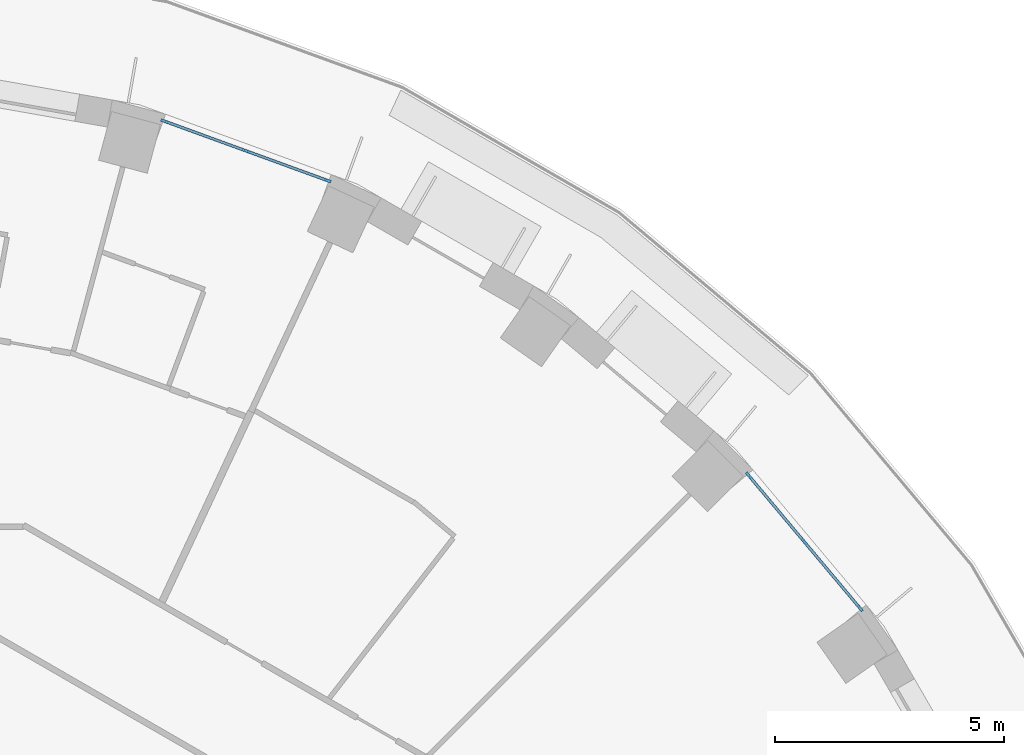
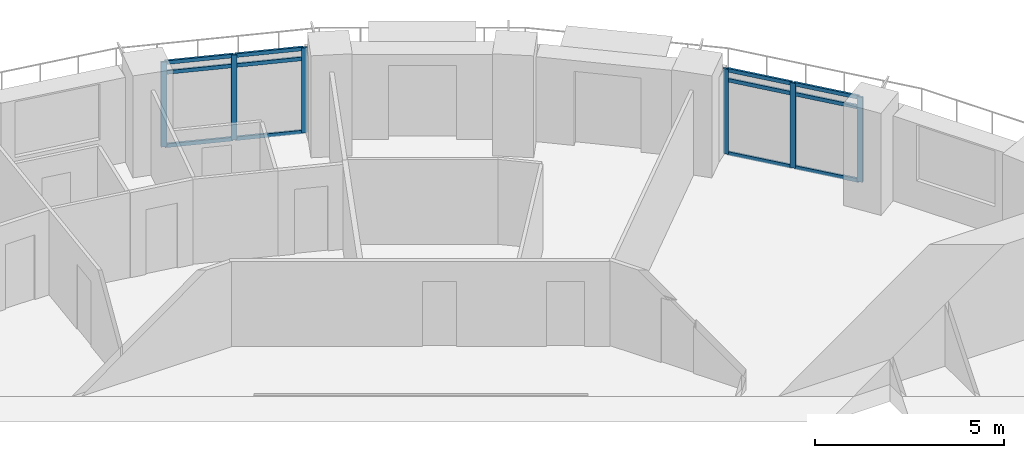
# One storey, part 2 of 15: 18 members, 2 elements without a shape of their own.
"""IFC4 building model written with IfcOpenShell, lengths in metres."""

from ifc_helpers import new_model, si_unit, direction, frame, origin, origin_2d, place, context, subcontext, project, spatial, rectangle, extrude, material, layer, layer_set, material_profile, profile_set, type_object, element, aggregate, save


model = new_model("IFC4")

# Units and contexts
model_context = context("Model", 3, precision=1e-05, world=origin(), true_north=direction((0.0, 1.0)))
body_context = subcontext(model_context, "Body", "Model", "MODEL_VIEW")
ifc_project = project(units=[si_unit("LENGTHUNIT", "METRE"), si_unit("AREAUNIT", "SQUARE_METRE"), si_unit("VOLUMEUNIT", "CUBIC_METRE"), si_unit("PLANEANGLEUNIT", "RADIAN"), si_unit("MASSUNIT", "GRAM", prefix="KILO")], contexts=[model_context])

# Site, building, storey
site_placement = place(None, origin())
site = spatial("IfcSite", under=ifc_project, at=site_placement, CompositionType="ELEMENT")
building_placement = place(site_placement, origin())
building = spatial("IfcBuilding", under=site, at=building_placement, Name="Saqina Gate Tower", CompositionType="ELEMENT")
storey_placement = place(building_placement, frame((0.0, 0.0, 65.89990234375)))
storey = spatial("IfcBuildingStorey", under=building, at=storey_placement, Name="L18", CompositionType="ELEMENT", Elevation=65.89990234375)

# Curtain wall, members
ifc_material_1 = material(Name="Aluminium glazing", Category="aluminium")
ifc_layer = layer(ifc_material_1, 0.159912109375)
ifc_layer_set = layer_set([ifc_layer], Name="CWT-4")
curtain_wall_type = type_object("IfcCurtainWallType", Name="CWT-4", PredefinedType="NOTDEFINED", material=ifc_layer_set)
curtain_wall_1_placement = place(storey_placement, origin())
curtain_wall_1 = element("IfcCurtainWall", 1, at=curtain_wall_1_placement, inside=storey, type_object=curtain_wall_type, Name="Terrace lounge glazing facet 4", PredefinedType="NOTDEFINED")
ifc_material_2 = material(Name="Aluminium", Category="aluminium")
ifc_material_profile_1 = material_profile(ifc_material_2, rectangle(XDim=0.06005859375, YDim=0.159912109375, at=origin_2d()), Name="Aluminium 60x160")
ifc_profile_set_1 = profile_set([ifc_material_profile_1], Name="Aluminium")
member_type_1 = type_object("IfcMemberType", Name="CWT-4M", PredefinedType="MULLION", material=ifc_profile_set_1)
member_1_placement = place(storey_placement, frame((23.232666015625, 17.0234375, 0.0), z_axis=(0.0, 0.0, 1.0), x_axis=(-0.766040784332, -0.642791970033, 0.0)))
member_1 = element("IfcMember", 2, at=member_1_placement, type_object=member_type_1, Name="CW4-04 mullion 1", PredefinedType="MULLION", context=body_context, shape_type="SweptSolid", body=[
    extrude(rectangle(XDim=0.06005859375, YDim=0.159912109375, at=origin_2d()), origin(), (0.0, 0.0, 1.0), 2.75),
])
member_2_placement = place(storey_placement, frame((22.015869140625, 18.473388671875, 0.0), z_axis=(0.0, 0.0, 1.0), x_axis=(-0.766040784332, -0.642791970033, 0.0)))
member_2 = element("IfcMember", 3, at=member_2_placement, type_object=member_type_1, Name="CW4-04 mullion 2", PredefinedType="MULLION", context=body_context, shape_type="SweptSolid", body=[
    extrude(rectangle(XDim=0.06005859375, YDim=0.159912109375, at=origin_2d()), origin(), (0.0, 0.0, 1.0), 2.75),
])
member_3_placement = place(storey_placement, frame((20.799072265625, 19.923583984375, 0.0), z_axis=(0.0, 0.0, 1.0), x_axis=(-0.766040784332, -0.642791970033, 0.0)))
member_3 = element("IfcMember", 4, at=member_3_placement, type_object=member_type_1, Name="CW4-04 mullion 3", PredefinedType="MULLION", context=body_context, shape_type="SweptSolid", body=[
    extrude(rectangle(XDim=0.06005859375, YDim=0.159912109375, at=origin_2d()), origin(), (0.0, 0.0, 1.0), 2.75),
])

curtain_wall_2_placement = place(storey_placement, origin())
curtain_wall_2 = element("IfcCurtainWall", 5, at=curtain_wall_2_placement, inside=storey, type_object=curtain_wall_type, Name="Terrace lounge glazing facet 7", PredefinedType="NOTDEFINED")
member_4_placement = place(storey_placement, frame((11.6083984375, 26.359130859375, 0.0), z_axis=(0.0, 0.0, 1.0), x_axis=(-0.34200819699, -0.939696968811, 0.0)))
member_4 = element("IfcMember", 6, at=member_4_placement, type_object=member_type_1, Name="CW4-07 mullion 1", PredefinedType="MULLION", context=body_context, shape_type="SweptSolid", body=[
    extrude(rectangle(XDim=0.06005859375, YDim=0.159912109375, at=origin_2d()), origin(), (0.0, 0.0, 1.0), 2.75),
])
member_5_placement = place(storey_placement, frame((9.82958984375, 27.00634765625, 0.0), z_axis=(0.0, 0.0, 1.0), x_axis=(-0.34200819699, -0.939696968811, 0.0)))
member_5 = element("IfcMember", 7, at=member_5_placement, type_object=member_type_1, Name="CW4-07 mullion 2", PredefinedType="MULLION", context=body_context, shape_type="SweptSolid", body=[
    extrude(rectangle(XDim=0.06005859375, YDim=0.159912109375, at=origin_2d()), origin(), (0.0, 0.0, 1.0), 2.75),
])
member_6_placement = place(storey_placement, frame((8.05078125, 27.65380859375, 0.0), z_axis=(0.0, 0.0, 1.0), x_axis=(-0.34200819699, -0.939696968811, 0.0)))
member_6 = element("IfcMember", 8, at=member_6_placement, type_object=member_type_1, Name="CW4-07 mullion 3", PredefinedType="MULLION", context=body_context, shape_type="SweptSolid", body=[
    extrude(rectangle(XDim=0.06005859375, YDim=0.159912109375, at=origin_2d()), origin(), (0.0, 0.0, 1.0), 2.75),
])

# Member
ifc_material_3 = material(Name="Aluminium", Category="aluminium")
ifc_material_profile_2 = material_profile(ifc_material_3, rectangle(XDim=0.06005859375, YDim=0.1201171875, at=origin_2d()), Name="Aluminium 60x120")
ifc_profile_set_2 = profile_set([ifc_material_profile_2], Name="Aluminium")
member_type_2 = type_object("IfcMemberType", Name="CWT-4T", PredefinedType="USERDEFINED", material=ifc_profile_set_2)
member_7_placement = place(storey_placement, frame((23.21337890625, 17.04638671875, 0.030029296875), z_axis=(-0.642814030336, 0.766022272785, 0.0), x_axis=(-0.766022272785, -0.642814030336, 0.0)))
member_7 = element("IfcMember", 9, at=member_7_placement, type_object=member_type_2, Name="CW4-04 transom 1.1", ObjectType="TRANSOM", PredefinedType="USERDEFINED", context=body_context, shape_type="SweptSolid", body=[
    extrude(rectangle(XDim=0.06005859375, YDim=0.1201171875, at=origin_2d()), origin(), (0.0, 0.0, 1.0), 1.8330078125),
])

member_8_placement = place(storey_placement, frame((23.21337890625, 17.04638671875, 2.400146484375), z_axis=(-0.642814030336, 0.766022272785, 0.0), x_axis=(-0.766022272785, -0.642814030336, 0.0)))
member_8 = element("IfcMember", 10, at=member_8_placement, type_object=member_type_2, Name="CW4-04 transom 1.2", ObjectType="TRANSOM", PredefinedType="USERDEFINED", context=body_context, shape_type="SweptSolid", body=[
    extrude(rectangle(XDim=0.06005859375, YDim=0.1201171875, at=origin_2d()), origin(), (0.0, 0.0, 1.0), 1.8330078125),
])

member_9_placement = place(storey_placement, frame((23.21337890625, 17.04638671875, 2.72021484375), z_axis=(-0.642814030336, 0.766022272785, 0.0), x_axis=(-0.766022272785, -0.642814030336, 0.0)))
member_9 = element("IfcMember", 11, at=member_9_placement, type_object=member_type_2, Name="CW4-04 transom 1.3", ObjectType="TRANSOM", PredefinedType="USERDEFINED", context=body_context, shape_type="SweptSolid", body=[
    extrude(rectangle(XDim=0.06005859375, YDim=0.1201171875, at=origin_2d()), origin(), (0.0, 0.0, 1.0), 1.8330078125),
])

member_10_placement = place(storey_placement, frame((21.99658203125, 18.496337890625, 0.030029296875), z_axis=(-0.642748446614, 0.766077303133, 0.0), x_axis=(-0.766077303133, -0.642748446614, 0.0)))
member_10 = element("IfcMember", 12, at=member_10_placement, type_object=member_type_2, Name="CW4-04 transom 2.1", ObjectType="TRANSOM", PredefinedType="USERDEFINED", context=body_context, shape_type="SweptSolid", body=[
    extrude(rectangle(XDim=0.06005859375, YDim=0.1201171875, at=origin_2d()), origin(), (0.0, 0.0, 1.0), 1.8330078125),
])

member_11_placement = place(storey_placement, frame((21.99658203125, 18.496337890625, 2.400146484375), z_axis=(-0.642748446614, 0.766077303133, 0.0), x_axis=(-0.766077303133, -0.642748446614, 0.0)))
member_11 = element("IfcMember", 13, at=member_11_placement, type_object=member_type_2, Name="CW4-04 transom 2.2", ObjectType="TRANSOM", PredefinedType="USERDEFINED", context=body_context, shape_type="SweptSolid", body=[
    extrude(rectangle(XDim=0.06005859375, YDim=0.1201171875, at=origin_2d()), origin(), (0.0, 0.0, 1.0), 1.8330078125),
])

member_12_placement = place(storey_placement, frame((21.99658203125, 18.496337890625, 2.72021484375), z_axis=(-0.642748446614, 0.766077303133, 0.0), x_axis=(-0.766077303133, -0.642748446614, 0.0)))
member_12 = element("IfcMember", 14, at=member_12_placement, type_object=member_type_2, Name="CW4-04 transom 2.3", ObjectType="TRANSOM", PredefinedType="USERDEFINED", context=body_context, shape_type="SweptSolid", body=[
    extrude(rectangle(XDim=0.06005859375, YDim=0.1201171875, at=origin_2d()), origin(), (0.0, 0.0, 1.0), 1.8330078125),
])

aggregate(curtain_wall_1, [member_1, member_2, member_3, member_7, member_8, member_9, member_10, member_11, member_12])

member_13_placement = place(storey_placement, frame((11.580078125, 26.369384765625, 0.030029296875), z_axis=(-0.939727291942, 0.34192487008, 0.0), x_axis=(-0.34192487008, -0.939727291942, 0.0)))
member_13 = element("IfcMember", 15, at=member_13_placement, type_object=member_type_2, Name="CW4-07 transom 1.1", ObjectType="TRANSOM", PredefinedType="USERDEFINED", context=body_context, shape_type="SweptSolid", body=[
    extrude(rectangle(XDim=0.06005859375, YDim=0.1201171875, at=origin_2d()), origin(), (0.0, 0.0, 1.0), 1.832763671875),
])

member_14_placement = place(storey_placement, frame((11.580078125, 26.369384765625, 2.400146484375), z_axis=(-0.939727291942, 0.34192487008, 0.0), x_axis=(-0.34192487008, -0.939727291942, 0.0)))
member_14 = element("IfcMember", 16, at=member_14_placement, type_object=member_type_2, Name="CW4-07 transom 1.2", ObjectType="TRANSOM", PredefinedType="USERDEFINED", context=body_context, shape_type="SweptSolid", body=[
    extrude(rectangle(XDim=0.06005859375, YDim=0.1201171875, at=origin_2d()), origin(), (0.0, 0.0, 1.0), 1.832763671875),
])

member_15_placement = place(storey_placement, frame((11.580078125, 26.369384765625, 2.72021484375), z_axis=(-0.939727291942, 0.34192487008, 0.0), x_axis=(-0.34192487008, -0.939727291942, 0.0)))
member_15 = element("IfcMember", 17, at=member_15_placement, type_object=member_type_2, Name="CW4-07 transom 1.3", ObjectType="TRANSOM", PredefinedType="USERDEFINED", context=body_context, shape_type="SweptSolid", body=[
    extrude(rectangle(XDim=0.06005859375, YDim=0.1201171875, at=origin_2d()), origin(), (0.0, 0.0, 1.0), 1.832763671875),
])

member_16_placement = place(storey_placement, frame((9.80126953125, 27.0166015625, 0.030029296875), z_axis=(-0.939668901449, 0.342085304639, 0.0), x_axis=(-0.342085304639, -0.939668901449, 0.0)))
member_16 = element("IfcMember", 18, at=member_16_placement, type_object=member_type_2, Name="CW4-07 transom 2.1", ObjectType="TRANSOM", PredefinedType="USERDEFINED", context=body_context, shape_type="SweptSolid", body=[
    extrude(rectangle(XDim=0.06005859375, YDim=0.1201171875, at=origin_2d()), origin(), (0.0, 0.0, 1.0), 1.832763671875),
])

member_17_placement = place(storey_placement, frame((9.80126953125, 27.0166015625, 2.400146484375), z_axis=(-0.939668901449, 0.342085304639, 0.0), x_axis=(-0.342085304639, -0.939668901449, 0.0)))
member_17 = element("IfcMember", 19, at=member_17_placement, type_object=member_type_2, Name="CW4-07 transom 2.2", ObjectType="TRANSOM", PredefinedType="USERDEFINED", context=body_context, shape_type="SweptSolid", body=[
    extrude(rectangle(XDim=0.06005859375, YDim=0.1201171875, at=origin_2d()), origin(), (0.0, 0.0, 1.0), 1.832763671875),
])

member_18_placement = place(storey_placement, frame((9.80126953125, 27.0166015625, 2.72021484375), z_axis=(-0.939668901449, 0.342085304639, 0.0), x_axis=(-0.342085304639, -0.939668901449, 0.0)))
member_18 = element("IfcMember", 20, at=member_18_placement, type_object=member_type_2, Name="CW4-07 transom 2.3", ObjectType="TRANSOM", PredefinedType="USERDEFINED", context=body_context, shape_type="SweptSolid", body=[
    extrude(rectangle(XDim=0.06005859375, YDim=0.1201171875, at=origin_2d()), origin(), (0.0, 0.0, 1.0), 1.832763671875),
])

aggregate(curtain_wall_2, [member_4, member_5, member_6, member_13, member_14, member_15, member_16, member_17, member_18])

save(model, "model.ifc")
